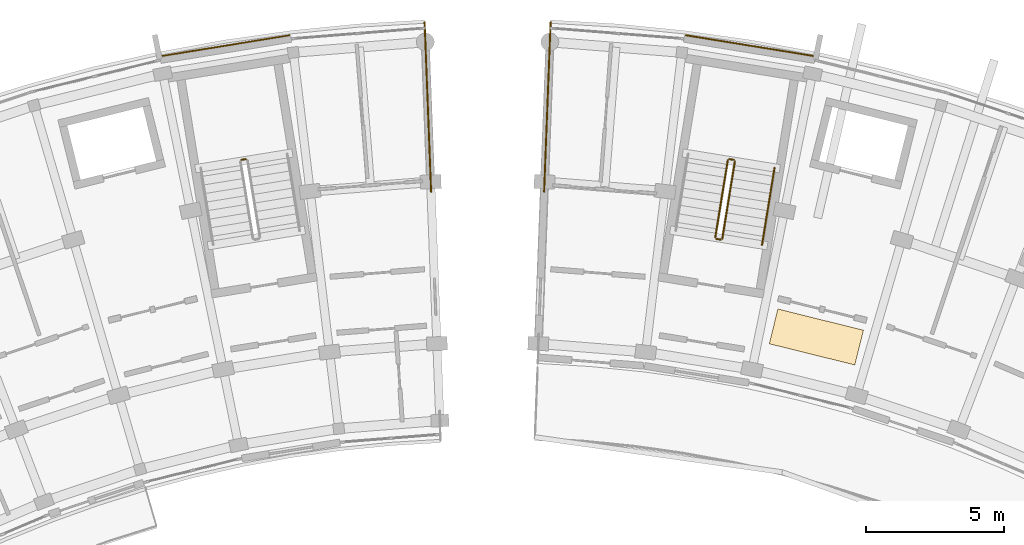
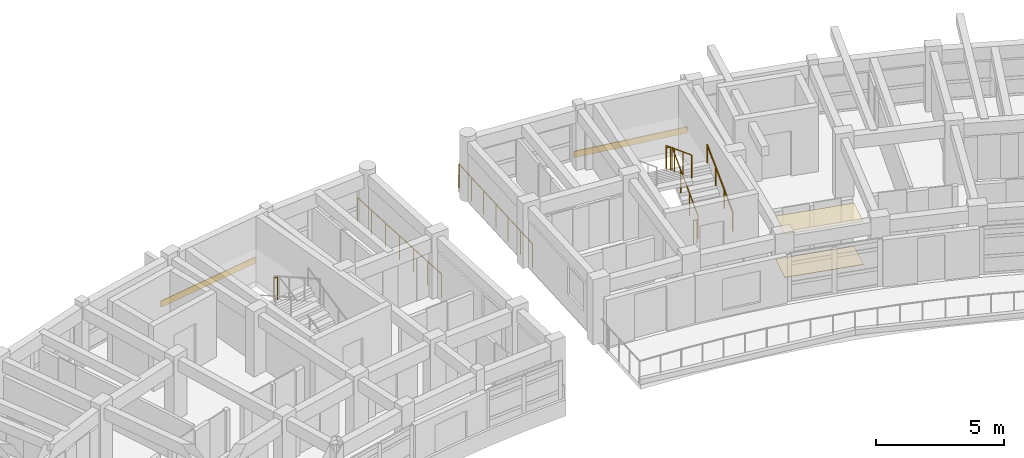
# One storey, part 34 of 38: 8 railings, 4 coverings.
"""IFC4 building model written with IfcOpenShell, lengths in metres."""

from ifc_helpers import new_model, si_unit, direction, frame, origin, origin_2d, place, context, subcontext, project, spatial, rectangle, circle, extrude, material, layer, layer_set, type_object, element, save


model = new_model("IFC4")

# Units and contexts
model_context = context("Model", 3, precision=1e-05, world=origin(), true_north=direction((0.0, 1.0)))
body_context = subcontext(model_context, "Body", "Model", "MODEL_VIEW")
ifc_project = project(units=[si_unit("LENGTHUNIT", "METRE"), si_unit("AREAUNIT", "SQUARE_METRE"), si_unit("VOLUMEUNIT", "CUBIC_METRE"), si_unit("PLANEANGLEUNIT", "RADIAN"), si_unit("MASSUNIT", "GRAM", prefix="KILO")], contexts=[model_context])

# Site, building, storey
site_placement = place(None, origin())
site = spatial("IfcSite", under=ifc_project, at=site_placement, CompositionType="ELEMENT")
building_placement = place(site_placement, origin())
building = spatial("IfcBuilding", under=site, at=building_placement, Name="Zimvara Arc Housing Community", CompositionType="ELEMENT")
storey_placement = place(building_placement, frame((0.0, 0.0, 29.800048828125)))
storey = spatial("IfcBuildingStorey", under=building, at=storey_placement, Name="L09", CompositionType="ELEMENT", Elevation=29.800048828125)

# Coverings
ifc_material_1 = material(Name="Pale-Gold Anodised Aluminium Cladding", Category="aluminium")
ifc_layer_1 = layer(ifc_material_1, 0.0400390625)
ifc_layer_set_1 = layer_set([ifc_layer_1], Name="Pale-Gold Anodised Aluminium Cladding")
covering_type_1 = type_object("IfcCoveringType", Name="CLD-GOLD-01", PredefinedType="CLADDING", material=ifc_layer_set_1)
covering_1_placement = place(storey_placement, frame((35.471435546875, 103.201171875, 0.009765625), z_axis=(0.0, 0.0, 1.0), x_axis=(0.987080395872, 0.160225753504, 0.0)))
element("IfcCovering", 1, at=covering_1_placement, inside=storey, type_object=covering_type_1, Name="cld:blkA:L09:out:b8", PredefinedType="CLADDING", context=body_context, shape_type="SweptSolid", body=[
    extrude(rectangle(XDim=4.748779296875, YDim=0.0400390625, at=origin_2d()), origin(), (0.0, 0.0, 1.0), 0.300048828125),
])
ifc_material_2 = material(Name="Pale-Gold Anodised Aluminium Cladding", Category="aluminium")
ifc_layer_2 = layer(ifc_material_2, 0.044921875)
ifc_layer_set_2 = layer_set([ifc_layer_2], Name="Pale-Gold Anodised Aluminium Cladding")
covering_type_2 = type_object("IfcCoveringType", Name="CLD-GOLD-02", PredefinedType="CLADDING", material=ifc_layer_set_2)
covering_2_placement = place(storey_placement, frame((54.529052734375, 103.20361328125, 0.009765625), z_axis=(0.0, 0.0, 1.0), x_axis=(0.987080395872, -0.160225753504, 0.0)))
element("IfcCovering", 2, at=covering_2_placement, inside=storey, type_object=covering_type_2, Name="cld:blkB:L09:out:b1", PredefinedType="CLADDING", context=body_context, shape_type="SweptSolid", body=[
    extrude(rectangle(XDim=4.748779296875, YDim=0.044921875, at=origin_2d()), origin(), (0.0, 0.0, 1.0), 0.300048828125),
])
ifc_material_3 = material(Name="Perforated Acoustic Ceiling Board")
ifc_layer_3 = layer(ifc_material_3, 0.02197265625)
ifc_layer_set_3 = layer_set([ifc_layer_3], Name="Perforated Acoustic Ceiling Board")
covering_type_3 = type_object("IfcCoveringType", Name="COV-CEIL-02", PredefinedType="CEILING", material=ifc_layer_set_3)
covering_3_placement = place(storey_placement, frame((56.938232421875, 92.625, 2.057861328125), z_axis=(0.0, 0.0, 1.0), x_axis=(0.240228042477, 0.970716481578, 0.0)))
element("IfcCovering", 3, at=covering_3_placement, inside=storey, type_object=covering_type_3, Name="ceil:blkB:L09", PredefinedType="CEILING", context=body_context, shape_type="SweptSolid", body=[
    extrude(rectangle(XDim=1.300048828125, YDim=3.199951171875, at=origin_2d()), origin(), (0.0, 0.0, 1.0), 0.02197265625),
])
ifc_material_4 = material(Name="Polished Coastal Sand Terrazzo")
ifc_layer_4 = layer(ifc_material_4, 0.02392578125)
ifc_layer_set_4 = layer_set([ifc_layer_4], Name="Polished Coastal Sand Terrazzo")
covering_type_4 = type_object("IfcCoveringType", Name="COV-FLOR-02", PredefinedType="FLOORING", material=ifc_layer_set_4)
covering_4_placement = place(storey_placement, frame((56.938232421875, 92.625, 0.0), z_axis=(0.0, 0.0, 1.0), x_axis=(0.240228042477, 0.970716481578, 0.0)))
element("IfcCovering", 4, at=covering_4_placement, inside=storey, type_object=covering_type_4, Name="flor:blkB:L09", PredefinedType="FLOORING", context=body_context, shape_type="SweptSolid", body=[
    extrude(rectangle(XDim=1.300048828125, YDim=3.199951171875, at=origin_2d()), origin(), (0.0, 0.0, 1.0), 0.02392578125),
])

# Railings
ifc_material_5 = material(Name="Anodised Aluminium AW-6063", Category="aluminium")
railing_type_1 = type_object("IfcRailingType", Name="RLG-BAL-1120", PredefinedType="BALUSTRADE", material=ifc_material_5)
railing_1_placement = place(storey_placement, frame((36.220947265625, 99.08349609375, 1.550048828125)))
element("IfcRailing", 5, at=railing_1_placement, inside=storey, type_object=railing_type_1, Name="L09 ST-A2 stair guard 2", PredefinedType="BALUSTRADE", context=body_context, shape_type="SweptSolid", body=[
    extrude(circle(Radius=0.02392578125, at=origin_2d()), frame((0.0, 0.0, 1.09619140625), z_axis=(-0.987085924886, -0.160191687964, 0.0), x_axis=(0.160191687964, -0.987085924886, 0.0)), (0.0, 0.0, 1.0), 0.159912109375),
    extrude(circle(Radius=0.02099609375, at=origin_2d()), origin(), (0.0, 0.0, 1.0), 1.072021484375),
    extrude(circle(Radius=0.02099609375, at=origin_2d()), frame((-0.157958984375, -0.025634765625, 0.0)), (0.0, 0.0, 1.0), 1.072021484375),
])
railing_2_placement = place(storey_placement, frame((53.524169921875, 96.2021484375, 0.155029296875)))
element("IfcRailing", 6, at=railing_2_placement, inside=storey, type_object=railing_type_1, Name="L09 ST-B1 stair guard 1", PredefinedType="BALUSTRADE", context=body_context, shape_type="SweptSolid", body=[
    extrude(circle(Radius=0.02392578125, at=origin_2d()), frame((0.0, 0.0, 1.09619140625), z_axis=(0.143721784145, 0.885666177347, 0.441519502474), x_axis=(-0.987087819028, 0.160180016, 0.0)), (0.0, 0.0, 1.0), 3.15966796875),
    extrude(circle(Radius=0.02099609375, at=origin_2d()), origin(), (0.0, 0.0, 1.0), 1.072021484375),
    extrude(circle(Radius=0.02099609375, at=origin_2d()), frame((0.1513671875, 0.932861328125, 0.465087890625)), (0.0, 0.0, 1.0), 1.072021484375),
    extrude(circle(Radius=0.02099609375, at=origin_2d()), frame((0.302734375, 1.865478515625, 0.929931640625)), (0.0, 0.0, 1.0), 1.072021484375),
    extrude(circle(Radius=0.02099609375, at=origin_2d()), frame((0.4541015625, 2.79833984375, 1.39501953125)), (0.0, 0.0, 1.0), 1.072021484375),
])
railing_3_placement = place(storey_placement, frame((53.93701171875, 99.057861328125, 1.550048828125)))
element("IfcRailing", 7, at=railing_3_placement, inside=storey, type_object=railing_type_1, Name="L09 ST-B1 stair guard 2", PredefinedType="BALUSTRADE", context=body_context, shape_type="SweptSolid", body=[
    extrude(circle(Radius=0.02392578125, at=origin_2d()), frame((0.0, 0.0, 1.09619140625), z_axis=(-0.987085924886, 0.160191687964, 0.0), x_axis=(-0.160191687964, -0.987085924886, 0.0)), (0.0, 0.0, 1.0), 0.159912109375),
    extrude(circle(Radius=0.02099609375, at=origin_2d()), origin(), (0.0, 0.0, 1.0), 1.072021484375),
    extrude(circle(Radius=0.02099609375, at=origin_2d()), frame((-0.157958984375, 0.025634765625, 0.0)), (0.0, 0.0, 1.0), 1.072021484375),
])
railing_4_placement = place(storey_placement, frame((53.7216796875, 99.042236328125, 1.704833984375)))
element("IfcRailing", 8, at=railing_4_placement, inside=storey, type_object=railing_type_1, Name="L09 ST-B1 stair guard 3", PredefinedType="BALUSTRADE", context=body_context, shape_type="SweptSolid", body=[
    extrude(circle(Radius=0.02392578125, at=origin_2d()), frame((0.0, 0.0, 1.09619140625), z_axis=(-0.143721784145, -0.885666177347, 0.441519502474), x_axis=(0.987087819028, -0.160180016, 0.0)), (0.0, 0.0, 1.0), 3.15966796875),
    extrude(circle(Radius=0.02099609375, at=origin_2d()), origin(), (0.0, 0.0, 1.0), 1.072021484375),
    extrude(circle(Radius=0.02099609375, at=origin_2d()), frame((-0.1513671875, -0.932861328125, 0.465087890625)), (0.0, 0.0, 1.0), 1.072021484375),
    extrude(circle(Radius=0.02099609375, at=origin_2d()), frame((-0.302734375, -1.865478515625, 0.929931640625)), (0.0, 0.0, 1.0), 1.072021484375),
    extrude(circle(Radius=0.02099609375, at=origin_2d()), frame((-0.4541015625, -2.79833984375, 1.39501953125)), (0.0, 0.0, 1.0), 1.072021484375),
])
railing_5_placement = place(storey_placement, frame((53.466796875, 96.160888671875, 0.0)))
element("IfcRailing", 9, at=railing_5_placement, inside=storey, type_object=railing_type_1, Name="L09 ST-B1 stair guard 4", PredefinedType="BALUSTRADE", context=body_context, shape_type="SweptSolid", body=[
    extrude(circle(Radius=0.02392578125, at=origin_2d()), frame((0.0, 0.0, 1.09619140625), z_axis=(-0.987085924886, 0.160191687964, 0.0), x_axis=(-0.160191687964, -0.987085924886, 0.0)), (0.0, 0.0, 1.0), 0.159912109375),
    extrude(circle(Radius=0.02099609375, at=origin_2d()), origin(), (0.0, 0.0, 1.0), 1.072021484375),
    extrude(circle(Radius=0.02099609375, at=origin_2d()), frame((-0.157958984375, 0.025634765625, 0.0)), (0.0, 0.0, 1.0), 1.072021484375),
])
ifc_material_6 = material(Name="Anodised Aluminium AW-6063", Category="aluminium")
railing_type_2 = type_object("IfcRailingType", Name="RLG-BAL-1150", PredefinedType="BALUSTRADE", material=ifc_material_6)
railing_6_placement = place(storey_placement, frame((42.948486328125, 97.900634765625, 0.0)))
element("IfcRailing", 10, at=railing_6_placement, inside=storey, type_object=railing_type_2, Name="rlg:blkA:L09:gable_out:gN", PredefinedType="BALUSTRADE", context=body_context, shape_type="SweptSolid", body=[
    extrude(circle(Radius=0.02392578125, at=origin_2d()), frame((0.0, 0.0, 1.1259765625), z_axis=(-0.038364627964, 0.99926380667, 0.0), x_axis=(-0.99926380667, -0.038364627964, 0.0)), (0.0, 0.0, 1.0), 6.16015625),
    extrude(circle(Radius=0.02099609375, at=origin_2d()), origin(), (0.0, 0.0, 1.0), 1.101806640625),
    extrude(circle(Radius=0.02099609375, at=origin_2d()), frame((-0.039306640625, 1.02587890625, 0.0)), (0.0, 0.0, 1.0), 1.101806640625),
    extrude(circle(Radius=0.02099609375, at=origin_2d()), frame((-0.078857421875, 2.0517578125, 0.0)), (0.0, 0.0, 1.0), 1.101806640625),
    extrude(circle(Radius=0.02099609375, at=origin_2d()), frame((-0.1181640625, 3.07763671875, 0.0)), (0.0, 0.0, 1.0), 1.101806640625),
    extrude(circle(Radius=0.02099609375, at=origin_2d()), frame((-0.157470703125, 4.103759765625, 0.0)), (0.0, 0.0, 1.0), 1.101806640625),
    extrude(circle(Radius=0.02099609375, at=origin_2d()), frame((-0.197021484375, 5.129638671875, 0.0)), (0.0, 0.0, 1.0), 1.101806640625),
    extrude(circle(Radius=0.02099609375, at=origin_2d()), frame((-0.236328125, 6.155517578125, 0.0)), (0.0, 0.0, 1.0), 1.101806640625),
])
railing_7_placement = place(storey_placement, frame((47.051513671875, 97.900634765625, 0.0)))
element("IfcRailing", 11, at=railing_7_placement, inside=storey, type_object=railing_type_2, Name="rlg:blkB:L09:gable_out:g0", PredefinedType="BALUSTRADE", context=body_context, shape_type="SweptSolid", body=[
    extrude(circle(Radius=0.02392578125, at=origin_2d()), frame((0.0, 0.0, 1.1259765625), z_axis=(0.038364627964, 0.99926380667, 0.0), x_axis=(-0.99926380667, 0.038364627964, 0.0)), (0.0, 0.0, 1.0), 6.16015625),
    extrude(circle(Radius=0.02099609375, at=origin_2d()), origin(), (0.0, 0.0, 1.0), 1.101806640625),
    extrude(circle(Radius=0.02099609375, at=origin_2d()), frame((0.039306640625, 1.02587890625, 0.0)), (0.0, 0.0, 1.0), 1.101806640625),
    extrude(circle(Radius=0.02099609375, at=origin_2d()), frame((0.078857421875, 2.0517578125, 0.0)), (0.0, 0.0, 1.0), 1.101806640625),
    extrude(circle(Radius=0.02099609375, at=origin_2d()), frame((0.1181640625, 3.07763671875, 0.0)), (0.0, 0.0, 1.0), 1.101806640625),
    extrude(circle(Radius=0.02099609375, at=origin_2d()), frame((0.157470703125, 4.103759765625, 0.0)), (0.0, 0.0, 1.0), 1.101806640625),
    extrude(circle(Radius=0.02099609375, at=origin_2d()), frame((0.197021484375, 5.129638671875, 0.0)), (0.0, 0.0, 1.0), 1.101806640625),
    extrude(circle(Radius=0.02099609375, at=origin_2d()), frame((0.236328125, 6.155517578125, 0.0)), (0.0, 0.0, 1.0), 1.101806640625),
])
ifc_material_7 = material(Name="Anodised Aluminium AW-6063", Category="aluminium")
railing_type_3 = type_object("IfcRailingType", Name="RLG-HND-900", PredefinedType="HANDRAIL", material=ifc_material_7)
railing_8_placement = place(storey_placement, frame((54.96533203125, 95.96826171875, 0.155029296875)))
element("IfcRailing", 12, at=railing_8_placement, inside=storey, type_object=railing_type_3, Name="L09 ST-B1 stair handrail 1", PredefinedType="HANDRAIL", context=body_context, shape_type="SweptSolid", body=[
    extrude(circle(Radius=0.02392578125, at=origin_2d()), frame((0.0, 0.0, 0.8759765625), z_axis=(0.143721784145, 0.885666177347, 0.441519502474), x_axis=(-0.987087819028, 0.160180016, 0.0)), (0.0, 0.0, 1.0), 3.15966796875),
    extrude(circle(Radius=0.02099609375, at=origin_2d()), origin(), (0.0, 0.0, 1.0), 0.851806640625),
    extrude(circle(Radius=0.02099609375, at=origin_2d()), frame((0.1513671875, 0.932861328125, 0.465087890625)), (0.0, 0.0, 1.0), 0.851806640625),
    extrude(circle(Radius=0.02099609375, at=origin_2d()), frame((0.302734375, 1.865478515625, 0.929931640625)), (0.0, 0.0, 1.0), 0.851806640625),
    extrude(circle(Radius=0.02099609375, at=origin_2d()), frame((0.4541015625, 2.79833984375, 1.39501953125)), (0.0, 0.0, 1.0), 0.851806640625),
])

save(model, "model.ifc")
